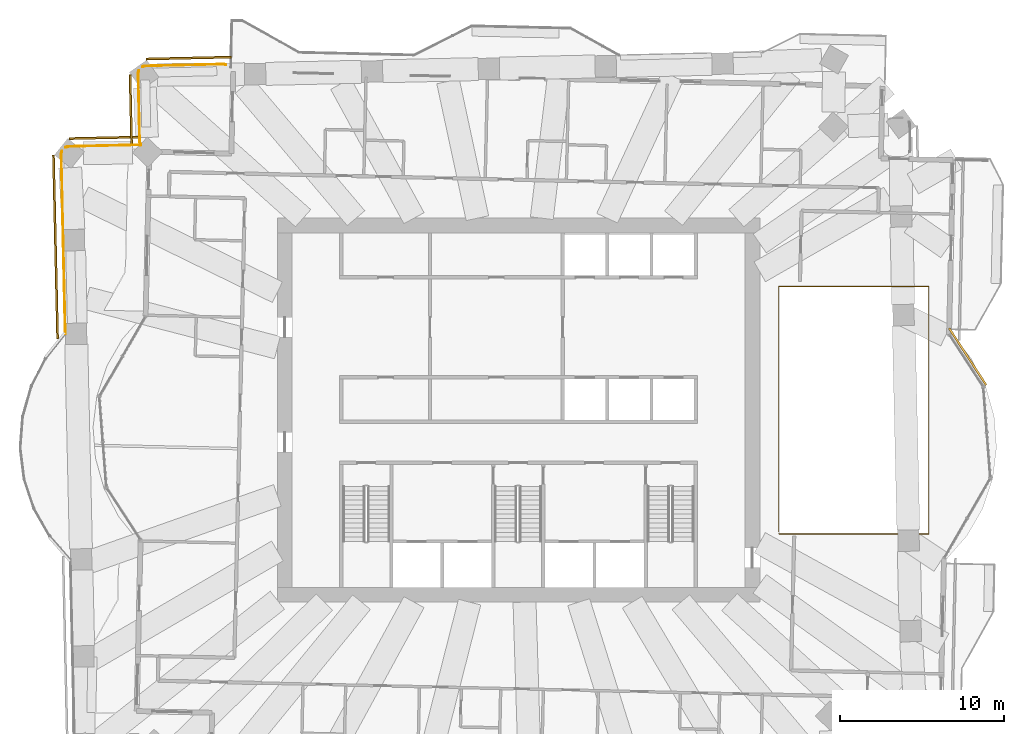
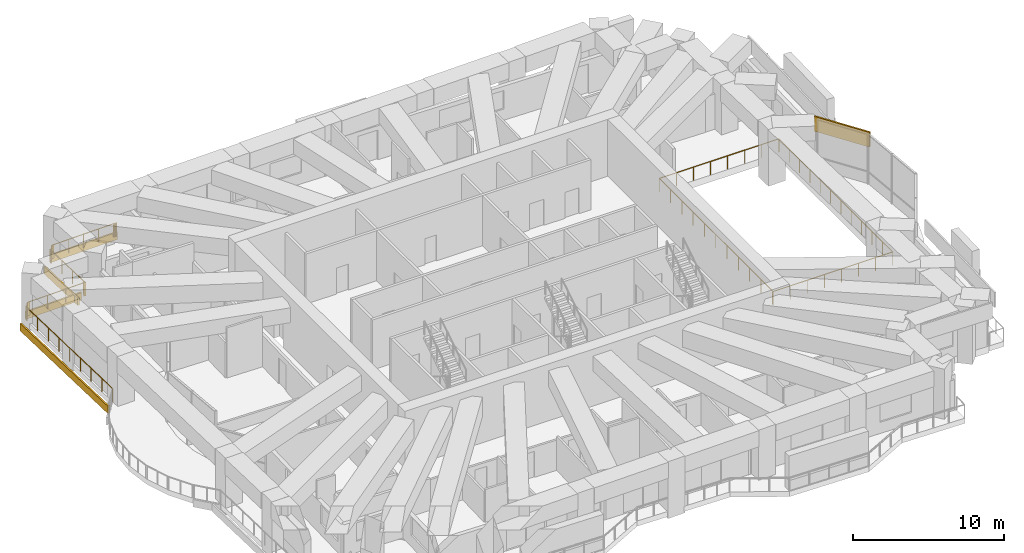
# One storey, part 16 of 17: 5 coverings, 5 railings.
"""IFC4 building model written with IfcOpenShell, lengths in metres."""

from ifc_helpers import new_model, si_unit, direction, frame, frame_2d, origin, origin_2d, place, context, subcontext, project, spatial, rectangle, extrude, material, layer, layer_set, type_object, element, save


model = new_model("IFC4")

# Units and contexts
model_context = context("Model", 3, precision=1e-05, world=origin(), true_north=direction((0.0, 1.0)))
body_context = subcontext(model_context, "Body", "Model", "MODEL_VIEW")
ifc_project = project(units=[si_unit("LENGTHUNIT", "METRE"), si_unit("AREAUNIT", "SQUARE_METRE"), si_unit("VOLUMEUNIT", "CUBIC_METRE"), si_unit("PLANEANGLEUNIT", "RADIAN"), si_unit("MASSUNIT", "GRAM", prefix="KILO")], contexts=[model_context])

# Site, building, storey
site_placement = place(None, origin())
site = spatial("IfcSite", under=ifc_project, at=site_placement, CompositionType="ELEMENT")
building_placement = place(site_placement, origin())
building = spatial("IfcBuilding", under=site, at=building_placement, Name="Mangrove Gate Tower", CompositionType="ELEMENT")
storey_placement = place(building_placement, frame((0.0, 0.0, 148.10009765625)))
storey = spatial("IfcBuildingStorey", under=building, at=storey_placement, Name="L37", CompositionType="ELEMENT", Elevation=148.10009765625)

# Railings
ifc_material_1 = material(Name="Stainless steel grade 316 with laminated glass infill", Category="steel")
railing_type = type_object("IfcRailingType", Name="Balcony guard 1100", PredefinedType="GUARDRAIL", material=ifc_material_1)
railing_1_placement = place(storey_placement, frame((15.860107421875, -7.5400390625, 0.0)))
element("IfcRailing", 1, at=railing_1_placement, inside=storey, type_object=railing_type, Name="GUARD L37 atrium", PredefinedType="GUARDRAIL", context=body_context, shape_type="SweptSolid", body=[
    extrude(rectangle(XDim=0.048095703125, YDim=0.048095703125, at=origin_2d()), frame((0.0, 0.0, 1.076171875), z_axis=(1.0, 0.0, 0.0), x_axis=(0.0, 1.0, 0.0)), (0.0, 0.0, 1.0), 9.143798828125),
    extrude(rectangle(XDim=0.048095703125, YDim=0.048095703125, at=origin_2d()), frame((9.143798828125, 0.0, 1.076171875), z_axis=(0.0, 1.0, 0.0), x_axis=(-1.0, 0.0, 0.0)), (0.0, 0.0, 1.0), 15.080078125),
    extrude(rectangle(XDim=0.048095703125, YDim=0.048095703125, at=origin_2d()), frame((9.143798828125, 15.080078125, 1.076171875), z_axis=(-1.0, 0.0, 0.0), x_axis=(0.0, -1.0, 0.0)), (0.0, 0.0, 1.0), 9.143798828125),
    extrude(rectangle(XDim=0.048095703125, YDim=0.048095703125, at=origin_2d()), frame((0.0, 15.080078125, 1.076171875), z_axis=(0.0, -1.0, 0.0), x_axis=(1.0, 0.0, 0.0)), (0.0, 0.0, 1.0), 14.9599609375),
    extrude(rectangle(XDim=0.0419921875, YDim=0.0419921875, at=origin_2d()), origin(), (0.0, 0.0, 1.0), 1.052001953125),
    extrude(rectangle(XDim=0.0419921875, YDim=0.0419921875, at=origin_2d()), frame((1.30615234375, 0.0, 0.0)), (0.0, 0.0, 1.0), 1.052001953125),
    extrude(rectangle(XDim=0.0419921875, YDim=0.0419921875, at=origin_2d()), frame((2.612548828125, 0.0, 0.0)), (0.0, 0.0, 1.0), 1.052001953125),
    extrude(rectangle(XDim=0.0419921875, YDim=0.0419921875, at=origin_2d()), frame((3.918701171875, 0.0, 0.0)), (0.0, 0.0, 1.0), 1.052001953125),
    extrude(rectangle(XDim=0.0419921875, YDim=0.0419921875, at=origin_2d()), frame((5.22509765625, 0.0, 0.0)), (0.0, 0.0, 1.0), 1.052001953125),
    extrude(rectangle(XDim=0.0419921875, YDim=0.0419921875, at=origin_2d()), frame((6.53125, 0.0, 0.0)), (0.0, 0.0, 1.0), 1.052001953125),
    extrude(rectangle(XDim=0.0419921875, YDim=0.0419921875, at=origin_2d()), frame((7.837646484375, 0.0, 0.0)), (0.0, 0.0, 1.0), 1.052001953125),
    extrude(rectangle(XDim=0.0419921875, YDim=0.0419921875, at=origin_2d()), frame((9.143798828125, 0.0, 0.0)), (0.0, 0.0, 1.0), 1.052001953125),
    extrude(rectangle(XDim=0.0419921875, YDim=0.0419921875, at=origin_2d()), frame((9.143798828125, 1.370849609375, 0.0)), (0.0, 0.0, 1.0), 1.052001953125),
    extrude(rectangle(XDim=0.0419921875, YDim=0.0419921875, at=origin_2d()), frame((9.143798828125, 2.741943359375, 0.0)), (0.0, 0.0, 1.0), 1.052001953125),
    extrude(rectangle(XDim=0.0419921875, YDim=0.0419921875, at=origin_2d()), frame((9.143798828125, 4.11279296875, 0.0)), (0.0, 0.0, 1.0), 1.052001953125),
    extrude(rectangle(XDim=0.0419921875, YDim=0.0419921875, at=origin_2d()), frame((9.143798828125, 5.483642578125, 0.0)), (0.0, 0.0, 1.0), 1.052001953125),
    extrude(rectangle(XDim=0.0419921875, YDim=0.0419921875, at=origin_2d()), frame((9.143798828125, 6.8544921875, 0.0)), (0.0, 0.0, 1.0), 1.052001953125),
    extrude(rectangle(XDim=0.0419921875, YDim=0.0419921875, at=origin_2d()), frame((9.143798828125, 8.2255859375, 0.0)), (0.0, 0.0, 1.0), 1.052001953125),
    extrude(rectangle(XDim=0.0419921875, YDim=0.0419921875, at=origin_2d()), frame((9.143798828125, 9.596435546875, 0.0)), (0.0, 0.0, 1.0), 1.052001953125),
    extrude(rectangle(XDim=0.0419921875, YDim=0.0419921875, at=origin_2d()), frame((9.143798828125, 10.96728515625, 0.0)), (0.0, 0.0, 1.0), 1.052001953125),
    extrude(rectangle(XDim=0.0419921875, YDim=0.0419921875, at=origin_2d()), frame((9.143798828125, 12.338134765625, 0.0)), (0.0, 0.0, 1.0), 1.052001953125),
    extrude(rectangle(XDim=0.0419921875, YDim=0.0419921875, at=origin_2d()), frame((9.143798828125, 13.709228515625, 0.0)), (0.0, 0.0, 1.0), 1.052001953125),
    extrude(rectangle(XDim=0.0419921875, YDim=0.0419921875, at=origin_2d()), frame((9.143798828125, 15.080078125, 0.0)), (0.0, 0.0, 1.0), 1.052001953125),
    extrude(rectangle(XDim=0.0419921875, YDim=0.0419921875, at=origin_2d()), frame((7.837646484375, 15.080078125, 0.0)), (0.0, 0.0, 1.0), 1.052001953125),
    extrude(rectangle(XDim=0.0419921875, YDim=0.0419921875, at=origin_2d()), frame((6.53125, 15.080078125, 0.0)), (0.0, 0.0, 1.0), 1.052001953125),
    extrude(rectangle(XDim=0.0419921875, YDim=0.0419921875, at=origin_2d()), frame((5.22509765625, 15.080078125, 0.0)), (0.0, 0.0, 1.0), 1.052001953125),
    extrude(rectangle(XDim=0.0419921875, YDim=0.0419921875, at=origin_2d()), frame((3.918701171875, 15.080078125, 0.0)), (0.0, 0.0, 1.0), 1.052001953125),
    extrude(rectangle(XDim=0.0419921875, YDim=0.0419921875, at=origin_2d()), frame((2.612548828125, 15.080078125, 0.0)), (0.0, 0.0, 1.0), 1.052001953125),
    extrude(rectangle(XDim=0.0419921875, YDim=0.0419921875, at=origin_2d()), frame((1.30615234375, 15.080078125, 0.0)), (0.0, 0.0, 1.0), 1.052001953125),
    extrude(rectangle(XDim=0.0419921875, YDim=0.0419921875, at=origin_2d()), frame((0.0, 15.080078125, 0.0)), (0.0, 0.0, 1.0), 1.052001953125),
    extrude(rectangle(XDim=0.0419921875, YDim=0.0419921875, at=origin_2d()), frame((0.0, 13.583984375, 0.0)), (0.0, 0.0, 1.0), 1.052001953125),
    extrude(rectangle(XDim=0.0419921875, YDim=0.0419921875, at=origin_2d()), frame((0.0, 12.088134765625, 0.0)), (0.0, 0.0, 1.0), 1.052001953125),
    extrude(rectangle(XDim=0.0419921875, YDim=0.0419921875, at=origin_2d()), frame((0.0, 10.592041015625, 0.0)), (0.0, 0.0, 1.0), 1.052001953125),
    extrude(rectangle(XDim=0.0419921875, YDim=0.0419921875, at=origin_2d()), frame((0.0, 9.09619140625, 0.0)), (0.0, 0.0, 1.0), 1.052001953125),
    extrude(rectangle(XDim=0.0419921875, YDim=0.0419921875, at=origin_2d()), frame((0.0, 7.60009765625, 0.0)), (0.0, 0.0, 1.0), 1.052001953125),
    extrude(rectangle(XDim=0.0419921875, YDim=0.0419921875, at=origin_2d()), frame((0.0, 6.10400390625, 0.0)), (0.0, 0.0, 1.0), 1.052001953125),
    extrude(rectangle(XDim=0.0419921875, YDim=0.0419921875, at=origin_2d()), frame((0.0, 4.608154296875, 0.0)), (0.0, 0.0, 1.0), 1.052001953125),
    extrude(rectangle(XDim=0.0419921875, YDim=0.0419921875, at=origin_2d()), frame((0.0, 3.112060546875, 0.0)), (0.0, 0.0, 1.0), 1.052001953125),
    extrude(rectangle(XDim=0.0419921875, YDim=0.0419921875, at=origin_2d()), frame((0.0, 1.6162109375, 0.0)), (0.0, 0.0, 1.0), 1.052001953125),
    extrude(rectangle(XDim=0.0419921875, YDim=0.0419921875, at=origin_2d()), frame((0.0, 0.1201171875, 0.0)), (0.0, 0.0, 1.0), 1.052001953125),
])
railing_2_placement = place(storey_placement, frame((-27.6220703125, 4.64892578125, 0.0)))
element("IfcRailing", 2, at=railing_2_placement, inside=storey, type_object=railing_type, Name="GUARD L37 T3.1", PredefinedType="GUARDRAIL", context=body_context, shape_type="SweptSolid", body=[
    extrude(rectangle(XDim=0.048095703125, YDim=0.048095703125, at=origin_2d()), frame((0.0, 0.0, 1.076171875), z_axis=(-0.022619759333, 0.999744140512, 0.0), x_axis=(-0.999744140512, -0.022619759333, 0.0)), (0.0, 0.0, 1.0), 10.911865234375),
    extrude(rectangle(XDim=0.048095703125, YDim=0.048095703125, at=origin_2d()), frame((-0.246826171875, 10.9091796875, 1.076171875), z_axis=(0.019604074934, 0.999807821657, 0.0), x_axis=(-0.999807821657, 0.019604074934, 0.0)), (0.0, 0.0, 1.0), 0.0498046875),
    extrude(rectangle(XDim=0.048095703125, YDim=0.048095703125, at=origin_2d()), frame((-0.245849609375, 10.958984375, 1.076171875), z_axis=(0.120933275731, 0.992660638295, 0.0), x_axis=(-0.992660638295, 0.120933275731, 0.0)), (0.0, 0.0, 1.0), 0.04833984375),
    extrude(rectangle(XDim=0.048095703125, YDim=0.048095703125, at=origin_2d()), frame((-0.239990234375, 11.007080078125, 1.076171875), z_axis=(0.222690428814, 0.974889210585, 0.0), x_axis=(-0.974889210585, 0.222690428814, 0.0)), (0.0, 0.0, 1.0), 0.04931640625),
    extrude(rectangle(XDim=0.048095703125, YDim=0.048095703125, at=origin_2d()), frame((-0.22900390625, 11.05517578125, 1.076171875), z_axis=(0.325079768511, 0.945686599305, 0.0), x_axis=(-0.945686599305, 0.325079768511, 0.0)), (0.0, 0.0, 1.0), 0.049560546875),
    extrude(rectangle(XDim=0.048095703125, YDim=0.048095703125, at=origin_2d()), frame((-0.212890625, 11.10205078125, 1.076171875), z_axis=(0.403640206576, 0.914917801573, 0.0), x_axis=(-0.914917801573, 0.403640206576, 0.0)), (0.0, 0.0, 1.0), 0.027099609375),
    extrude(rectangle(XDim=0.0419921875, YDim=0.0419921875, at=origin_2d()), origin(), (0.0, 0.0, 1.0), 1.052001953125),
    extrude(rectangle(XDim=0.0419921875, YDim=0.0419921875, at=origin_2d()), frame((-0.03076171875, 1.36376953125, 0.0)), (0.0, 0.0, 1.0), 1.052001953125),
    extrude(rectangle(XDim=0.0419921875, YDim=0.0419921875, at=origin_2d()), frame((-0.061767578125, 2.727294921875, 0.0)), (0.0, 0.0, 1.0), 1.052001953125),
    extrude(rectangle(XDim=0.0419921875, YDim=0.0419921875, at=origin_2d()), frame((-0.092529296875, 4.0908203125, 0.0)), (0.0, 0.0, 1.0), 1.052001953125),
    extrude(rectangle(XDim=0.0419921875, YDim=0.0419921875, at=origin_2d()), frame((-0.12353515625, 5.45458984375, 0.0)), (0.0, 0.0, 1.0), 1.052001953125),
    extrude(rectangle(XDim=0.0419921875, YDim=0.0419921875, at=origin_2d()), frame((-0.154296875, 6.818359375, 0.0)), (0.0, 0.0, 1.0), 1.052001953125),
    extrude(rectangle(XDim=0.0419921875, YDim=0.0419921875, at=origin_2d()), frame((-0.18505859375, 8.181884765625, 0.0)), (0.0, 0.0, 1.0), 1.052001953125),
    extrude(rectangle(XDim=0.0419921875, YDim=0.0419921875, at=origin_2d()), frame((-0.216064453125, 9.54541015625, 0.0)), (0.0, 0.0, 1.0), 1.052001953125),
    extrude(rectangle(XDim=0.0419921875, YDim=0.0419921875, at=origin_2d()), frame((-0.246826171875, 10.9091796875, 0.0)), (0.0, 0.0, 1.0), 1.052001953125),
    extrude(rectangle(XDim=0.0419921875, YDim=0.0419921875, at=origin_2d()), frame((-0.245849609375, 10.958984375, 0.0)), (0.0, 0.0, 1.0), 1.052001953125),
    extrude(rectangle(XDim=0.0419921875, YDim=0.0419921875, at=origin_2d()), frame((-0.239990234375, 11.007080078125, 0.0)), (0.0, 0.0, 1.0), 1.052001953125),
    extrude(rectangle(XDim=0.0419921875, YDim=0.0419921875, at=origin_2d()), frame((-0.22900390625, 11.05517578125, 0.0)), (0.0, 0.0, 1.0), 1.052001953125),
    extrude(rectangle(XDim=0.0419921875, YDim=0.0419921875, at=origin_2d()), frame((-0.212890625, 11.10205078125, 0.0)), (0.0, 0.0, 1.0), 1.052001953125),
    extrude(rectangle(XDim=0.0419921875, YDim=0.0419921875, at=origin_2d()), frame((-0.201904296875, 11.126953125, 0.0)), (0.0, 0.0, 1.0), 1.052001953125),
])
railing_3_placement = place(storey_placement, frame((-27.595947265625, 16.014892578125, 0.0)))
element("IfcRailing", 3, at=railing_3_placement, inside=storey, type_object=railing_type, Name="GUARD L37 T3.2", PredefinedType="GUARDRAIL", context=body_context, shape_type="SweptSolid", body=[
    extrude(rectangle(XDim=0.048095703125, YDim=0.048095703125, at=origin_2d()), frame((0.0, 0.0, 1.076171875), z_axis=(0.897920722727, 0.440157217023, 0.0), x_axis=(-0.440157217023, 0.897920722727, 0.0)), (0.0, 0.0, 1.0), 0.02783203125),
    extrude(rectangle(XDim=0.048095703125, YDim=0.048095703125, at=origin_2d()), frame((0.02490234375, 0.01220703125, 1.076171875), z_axis=(0.932835839802, 0.360301673574, 0.0), x_axis=(-0.360301673574, 0.932835839802, 0.0)), (0.0, 0.0, 1.0), 0.049560546875),
    extrude(rectangle(XDim=0.048095703125, YDim=0.048095703125, at=origin_2d()), frame((0.071044921875, 0.030029296875, 1.076171875), z_axis=(0.962650940154, 0.270745576918, 0.0), x_axis=(-0.270745576918, 0.962650940154, 0.0)), (0.0, 0.0, 1.0), 0.048583984375),
    extrude(rectangle(XDim=0.048095703125, YDim=0.048095703125, at=origin_2d()), frame((0.117919921875, 0.043212890625, 1.076171875), z_axis=(0.98706264842, 0.160335049489, 0.0), x_axis=(-0.160335049489, 0.98706264842, 0.0)), (0.0, 0.0, 1.0), 0.048828125),
    extrude(rectangle(XDim=0.048095703125, YDim=0.048095703125, at=origin_2d()), frame((0.166015625, 0.051025390625, 1.076171875), z_axis=(0.996406958115, 0.08469459144, 0.0), x_axis=(-0.08469459144, 0.996406958115, 0.0)), (0.0, 0.0, 1.0), 0.049072265625),
    extrude(rectangle(XDim=0.048095703125, YDim=0.048095703125, at=origin_2d()), frame((0.21484375, 0.05517578125, 1.076171875), z_axis=(0.999746388122, 0.022520200647, 0.0), x_axis=(-0.022520200647, 0.999746388122, 0.0)), (0.0, 0.0, 1.0), 4.217041015625),
    extrude(rectangle(XDim=0.048095703125, YDim=0.048095703125, at=origin_2d()), frame((4.430908203125, 0.150146484375, 1.076171875), z_axis=(0.999816904308, -0.019135251757, 0.0), x_axis=(0.019135251757, 0.999816904308, 0.0)), (0.0, 0.0, 1.0), 0.051025390625),
    extrude(rectangle(XDim=0.048095703125, YDim=0.048095703125, at=origin_2d()), frame((4.48193359375, 0.149169921875, 1.076171875), z_axis=(0.990141768293, -0.140068835515, 0.0), x_axis=(0.140068835515, 0.990141768293, 0.0)), (0.0, 0.0, 1.0), 0.050537109375),
    extrude(rectangle(XDim=0.048095703125, YDim=0.048095703125, at=origin_2d()), frame((4.531982421875, 0.14208984375, 1.076171875), z_axis=(0.97863695281, -0.205595998489, 0.0), x_axis=(0.205595998489, 0.97863695281, 0.0)), (0.0, 0.0, 1.0), 0.02978515625),
    extrude(rectangle(XDim=0.0419921875, YDim=0.0419921875, at=origin_2d()), origin(), (0.0, 0.0, 1.0), 1.052001953125),
    extrude(rectangle(XDim=0.0419921875, YDim=0.0419921875, at=origin_2d()), frame((0.02490234375, 0.01220703125, 0.0)), (0.0, 0.0, 1.0), 1.052001953125),
    extrude(rectangle(XDim=0.0419921875, YDim=0.0419921875, at=origin_2d()), frame((0.071044921875, 0.030029296875, 0.0)), (0.0, 0.0, 1.0), 1.052001953125),
    extrude(rectangle(XDim=0.0419921875, YDim=0.0419921875, at=origin_2d()), frame((0.117919921875, 0.043212890625, 0.0)), (0.0, 0.0, 1.0), 1.052001953125),
    extrude(rectangle(XDim=0.0419921875, YDim=0.0419921875, at=origin_2d()), frame((0.166015625, 0.051025390625, 0.0)), (0.0, 0.0, 1.0), 1.052001953125),
    extrude(rectangle(XDim=0.0419921875, YDim=0.0419921875, at=origin_2d()), frame((0.21484375, 0.05517578125, 0.0)), (0.0, 0.0, 1.0), 1.052001953125),
    extrude(rectangle(XDim=0.0419921875, YDim=0.0419921875, at=origin_2d()), frame((1.6201171875, 0.0869140625, 0.0)), (0.0, 0.0, 1.0), 1.052001953125),
    extrude(rectangle(XDim=0.0419921875, YDim=0.0419921875, at=origin_2d()), frame((3.025634765625, 0.118408203125, 0.0)), (0.0, 0.0, 1.0), 1.052001953125),
    extrude(rectangle(XDim=0.0419921875, YDim=0.0419921875, at=origin_2d()), frame((4.430908203125, 0.150146484375, 0.0)), (0.0, 0.0, 1.0), 1.052001953125),
    extrude(rectangle(XDim=0.0419921875, YDim=0.0419921875, at=origin_2d()), frame((4.48193359375, 0.149169921875, 0.0)), (0.0, 0.0, 1.0), 1.052001953125),
    extrude(rectangle(XDim=0.0419921875, YDim=0.0419921875, at=origin_2d()), frame((4.531982421875, 0.14208984375, 0.0)), (0.0, 0.0, 1.0), 1.052001953125),
    extrude(rectangle(XDim=0.0419921875, YDim=0.0419921875, at=origin_2d()), frame((4.56103515625, 0.135986328125, 0.0)), (0.0, 0.0, 1.0), 1.052001953125),
])
railing_4_placement = place(storey_placement, frame((-23.031982421875, 16.176025390625, 0.0)))
element("IfcRailing", 4, at=railing_4_placement, inside=storey, type_object=railing_type, Name="GUARD L37 T3.3", PredefinedType="GUARDRAIL", context=body_context, shape_type="SweptSolid", body=[
    extrude(rectangle(XDim=0.048095703125, YDim=0.048095703125, at=origin_2d()), frame((0.0, 0.0, 1.076171875), z_axis=(-0.438702428484, 0.898632393831, 0.0), x_axis=(-0.898632393831, -0.438702428484, 0.0)), (0.0, 0.0, 1.0), 0.034423828125),
    extrude(rectangle(XDim=0.048095703125, YDim=0.048095703125, at=origin_2d()), frame((-0.01513671875, 0.031005859375, 1.076171875), z_axis=(-0.339644463778, 0.940553899692, 0.0), x_axis=(-0.940553899692, -0.339644463778, 0.0)), (0.0, 0.0, 1.0), 0.046630859375),
    extrude(rectangle(XDim=0.048095703125, YDim=0.048095703125, at=origin_2d()), frame((-0.031005859375, 0.074951171875, 1.076171875), z_axis=(-0.264808083684, 0.964301134924, 0.0), x_axis=(-0.964301134924, -0.264808083684, 0.0)), (0.0, 0.0, 1.0), 0.048828125),
    extrude(rectangle(XDim=0.048095703125, YDim=0.048095703125, at=origin_2d()), frame((-0.0439453125, 0.1220703125, 1.076171875), z_axis=(-0.169391215599, 0.98554889076, 0.0), x_axis=(-0.98554889076, -0.169391215599, 0.0)), (0.0, 0.0, 1.0), 0.047607421875),
    extrude(rectangle(XDim=0.048095703125, YDim=0.048095703125, at=origin_2d()), frame((-0.052001953125, 0.1689453125, 1.076171875), z_axis=(-0.062056330482, 0.998072648582, 0.0), x_axis=(-0.998072648582, -0.062056330482, 0.0)), (0.0, 0.0, 1.0), 0.047119140625),
    extrude(rectangle(XDim=0.048095703125, YDim=0.048095703125, at=origin_2d()), frame((-0.054931640625, 0.216064453125, 1.076171875), z_axis=(-0.022586673637, 0.999744888546, 0.0), x_axis=(-0.999744888546, -0.022586673637, 0.0)), (0.0, 0.0, 1.0), 4.074951171875),
    extrude(rectangle(XDim=0.048095703125, YDim=0.048095703125, at=origin_2d()), frame((-0.14697265625, 4.2900390625, 1.076171875), z_axis=(0.0199960012, 0.99980005998, 0.0), x_axis=(-0.99980005998, 0.0199960012, 0.0)), (0.0, 0.0, 1.0), 0.048828125),
    extrude(rectangle(XDim=0.048095703125, YDim=0.048095703125, at=origin_2d()), frame((-0.14599609375, 4.3388671875, 1.076171875), z_axis=(0.118560811125, 0.992946793169, 0.0), x_axis=(-0.992946793169, 0.118560811125, 0.0)), (0.0, 0.0, 1.0), 0.04931640625),
    extrude(rectangle(XDim=0.048095703125, YDim=0.048095703125, at=origin_2d()), frame((-0.14013671875, 4.387939453125, 1.076171875), z_axis=(0.227385877315, 0.973804735457, 0.0), x_axis=(-0.973804735457, 0.227385877315, 0.0)), (0.0, 0.0, 1.0), 0.04931640625),
    extrude(rectangle(XDim=0.048095703125, YDim=0.048095703125, at=origin_2d()), frame((-0.12890625, 4.43603515625, 1.076171875), z_axis=(0.308628423681, 0.95118268282, 0.0), x_axis=(-0.95118268282, 0.308628423681, 0.0)), (0.0, 0.0, 1.0), 0.04833984375),
    extrude(rectangle(XDim=0.048095703125, YDim=0.048095703125, at=origin_2d()), frame((-0.114013671875, 4.48193359375, 1.076171875), z_axis=(0.416362102889, 0.909198877737, 0.0), x_axis=(-0.909198877737, 0.416362102889, 0.0)), (0.0, 0.0, 1.0), 0.02880859375),
    extrude(rectangle(XDim=0.0419921875, YDim=0.0419921875, at=origin_2d()), origin(), (0.0, 0.0, 1.0), 1.052001953125),
    extrude(rectangle(XDim=0.0419921875, YDim=0.0419921875, at=origin_2d()), frame((-0.01513671875, 0.031005859375, 0.0)), (0.0, 0.0, 1.0), 1.052001953125),
    extrude(rectangle(XDim=0.0419921875, YDim=0.0419921875, at=origin_2d()), frame((-0.031005859375, 0.074951171875, 0.0)), (0.0, 0.0, 1.0), 1.052001953125),
    extrude(rectangle(XDim=0.0419921875, YDim=0.0419921875, at=origin_2d()), frame((-0.0439453125, 0.1220703125, 0.0)), (0.0, 0.0, 1.0), 1.052001953125),
    extrude(rectangle(XDim=0.0419921875, YDim=0.0419921875, at=origin_2d()), frame((-0.052001953125, 0.1689453125, 0.0)), (0.0, 0.0, 1.0), 1.052001953125),
    extrude(rectangle(XDim=0.0419921875, YDim=0.0419921875, at=origin_2d()), frame((-0.054931640625, 0.216064453125, 0.0)), (0.0, 0.0, 1.0), 1.052001953125),
    extrude(rectangle(XDim=0.0419921875, YDim=0.0419921875, at=origin_2d()), frame((-0.085693359375, 1.573974609375, 0.0)), (0.0, 0.0, 1.0), 1.052001953125),
    extrude(rectangle(XDim=0.0419921875, YDim=0.0419921875, at=origin_2d()), frame((-0.1162109375, 2.93212890625, 0.0)), (0.0, 0.0, 1.0), 1.052001953125),
    extrude(rectangle(XDim=0.0419921875, YDim=0.0419921875, at=origin_2d()), frame((-0.14697265625, 4.2900390625, 0.0)), (0.0, 0.0, 1.0), 1.052001953125),
    extrude(rectangle(XDim=0.0419921875, YDim=0.0419921875, at=origin_2d()), frame((-0.14599609375, 4.3388671875, 0.0)), (0.0, 0.0, 1.0), 1.052001953125),
    extrude(rectangle(XDim=0.0419921875, YDim=0.0419921875, at=origin_2d()), frame((-0.14013671875, 4.387939453125, 0.0)), (0.0, 0.0, 1.0), 1.052001953125),
    extrude(rectangle(XDim=0.0419921875, YDim=0.0419921875, at=origin_2d()), frame((-0.12890625, 4.43603515625, 0.0)), (0.0, 0.0, 1.0), 1.052001953125),
    extrude(rectangle(XDim=0.0419921875, YDim=0.0419921875, at=origin_2d()), frame((-0.114013671875, 4.48193359375, 0.0)), (0.0, 0.0, 1.0), 1.052001953125),
    extrude(rectangle(XDim=0.0419921875, YDim=0.0419921875, at=origin_2d()), frame((-0.10205078125, 4.508056640625, 0.0)), (0.0, 0.0, 1.0), 1.052001953125),
])
railing_5_placement = place(storey_placement, frame((-22.906005859375, 20.922119140625, 0.0)))
element("IfcRailing", 5, at=railing_5_placement, inside=storey, type_object=railing_type, Name="GUARD L37 T3.4", PredefinedType="GUARDRAIL", context=body_context, shape_type="SweptSolid", body=[
    extrude(rectangle(XDim=0.048095703125, YDim=0.048095703125, at=origin_2d()), frame((0.0, 0.0, 1.076171875), z_axis=(0.887359195726, 0.461078797779, 0.0), x_axis=(-0.461078797779, 0.887359195726, 0.0)), (0.0, 0.0, 1.0), 0.028076171875),
    extrude(rectangle(XDim=0.048095703125, YDim=0.048095703125, at=origin_2d()), frame((0.02490234375, 0.012939453125, 1.076171875), z_axis=(0.932835839802, 0.360301673574, 0.0), x_axis=(-0.360301673574, 0.932835839802, 0.0)), (0.0, 0.0, 1.0), 0.049560546875),
    extrude(rectangle(XDim=0.048095703125, YDim=0.048095703125, at=origin_2d()), frame((0.071044921875, 0.03076171875, 1.076171875), z_axis=(0.962650940154, 0.270745576918, 0.0), x_axis=(-0.270745576918, 0.962650940154, 0.0)), (0.0, 0.0, 1.0), 0.048583984375),
    extrude(rectangle(XDim=0.048095703125, YDim=0.048095703125, at=origin_2d()), frame((0.117919921875, 0.0439453125, 1.076171875), z_axis=(0.986258281976, 0.165210778199, 0.0), x_axis=(-0.165210778199, 0.986258281976, 0.0)), (0.0, 0.0, 1.0), 0.048828125),
    extrude(rectangle(XDim=0.048095703125, YDim=0.048095703125, at=origin_2d()), frame((0.166015625, 0.052001953125, 1.076171875), z_axis=(0.998222615791, 0.059595380047, 0.0), x_axis=(-0.059595380047, 0.998222615791, 0.0)), (0.0, 0.0, 1.0), 0.049072265625),
    extrude(rectangle(XDim=0.048095703125, YDim=0.048095703125, at=origin_2d()), frame((0.215087890625, 0.054931640625, 1.076171875), z_axis=(0.999739248595, 0.022834947313, 0.0), x_axis=(-0.022834947313, 0.999739248595, 0.0)), (0.0, 0.0, 1.0), 4.64013671875),
    extrude(rectangle(XDim=0.048095703125, YDim=0.048095703125, at=origin_2d()), frame((4.85400390625, 0.160888671875, 1.076171875), z_axis=(0.999239417093, -0.03899470896, 0.0), x_axis=(0.03899470896, 0.999239417093, 0.0)), (0.0, 0.0, 1.0), 0.050048828125),
    extrude(rectangle(XDim=0.048095703125, YDim=0.048095703125, at=origin_2d()), frame((4.904052734375, 0.158935546875, 1.076171875), z_axis=(0.992921728252, -0.118770541657, 0.0), x_axis=(0.118770541657, 0.992921728252, 0.0)), (0.0, 0.0, 1.0), 0.05126953125),
    extrude(rectangle(XDim=0.048095703125, YDim=0.048095703125, at=origin_2d()), frame((4.955078125, 0.15283203125, 1.076171875), z_axis=(0.971274408717, -0.237962230136, 0.0), x_axis=(0.237962230136, 0.971274408717, 0.0)), (0.0, 0.0, 1.0), 0.05029296875),
    extrude(rectangle(XDim=0.048095703125, YDim=0.048095703125, at=origin_2d()), frame((5.00390625, 0.140869140625, 1.076171875), z_axis=(0.947696654134, -0.319172448283, 0.0), x_axis=(0.319172448283, 0.947696654134, 0.0)), (0.0, 0.0, 1.0), 0.0498046875),
    extrude(rectangle(XDim=0.048095703125, YDim=0.048095703125, at=origin_2d()), frame((5.051025390625, 0.125, 1.076171875), z_axis=(0.918591645064, -0.395208033342, 0.0), x_axis=(0.395208033342, 0.918591645064, 0.0)), (0.0, 0.0, 1.0), 0.02294921875),
    extrude(rectangle(XDim=0.0419921875, YDim=0.0419921875, at=origin_2d()), origin(), (0.0, 0.0, 1.0), 1.052001953125),
    extrude(rectangle(XDim=0.0419921875, YDim=0.0419921875, at=origin_2d()), frame((0.02490234375, 0.012939453125, 0.0)), (0.0, 0.0, 1.0), 1.052001953125),
    extrude(rectangle(XDim=0.0419921875, YDim=0.0419921875, at=origin_2d()), frame((0.071044921875, 0.03076171875, 0.0)), (0.0, 0.0, 1.0), 1.052001953125),
    extrude(rectangle(XDim=0.0419921875, YDim=0.0419921875, at=origin_2d()), frame((0.117919921875, 0.0439453125, 0.0)), (0.0, 0.0, 1.0), 1.052001953125),
    extrude(rectangle(XDim=0.0419921875, YDim=0.0419921875, at=origin_2d()), frame((0.166015625, 0.052001953125, 0.0)), (0.0, 0.0, 1.0), 1.052001953125),
    extrude(rectangle(XDim=0.0419921875, YDim=0.0419921875, at=origin_2d()), frame((0.215087890625, 0.054931640625, 0.0)), (0.0, 0.0, 1.0), 1.052001953125),
    extrude(rectangle(XDim=0.0419921875, YDim=0.0419921875, at=origin_2d()), frame((1.374755859375, 0.08154296875, 0.0)), (0.0, 0.0, 1.0), 1.052001953125),
    extrude(rectangle(XDim=0.0419921875, YDim=0.0419921875, at=origin_2d()), frame((2.53466796875, 0.10791015625, 0.0)), (0.0, 0.0, 1.0), 1.052001953125),
    extrude(rectangle(XDim=0.0419921875, YDim=0.0419921875, at=origin_2d()), frame((3.6943359375, 0.13427734375, 0.0)), (0.0, 0.0, 1.0), 1.052001953125),
    extrude(rectangle(XDim=0.0419921875, YDim=0.0419921875, at=origin_2d()), frame((4.85400390625, 0.160888671875, 0.0)), (0.0, 0.0, 1.0), 1.052001953125),
    extrude(rectangle(XDim=0.0419921875, YDim=0.0419921875, at=origin_2d()), frame((4.904052734375, 0.158935546875, 0.0)), (0.0, 0.0, 1.0), 1.052001953125),
    extrude(rectangle(XDim=0.0419921875, YDim=0.0419921875, at=origin_2d()), frame((4.955078125, 0.15283203125, 0.0)), (0.0, 0.0, 1.0), 1.052001953125),
    extrude(rectangle(XDim=0.0419921875, YDim=0.0419921875, at=origin_2d()), frame((5.00390625, 0.140869140625, 0.0)), (0.0, 0.0, 1.0), 1.052001953125),
    extrude(rectangle(XDim=0.0419921875, YDim=0.0419921875, at=origin_2d()), frame((5.051025390625, 0.125, 0.0)), (0.0, 0.0, 1.0), 1.052001953125),
    extrude(rectangle(XDim=0.0419921875, YDim=0.0419921875, at=origin_2d()), frame((5.072021484375, 0.115966796875, 0.0)), (0.0, 0.0, 1.0), 1.052001953125),
])

# Coverings
ifc_material_2 = material(Name="Limestone", Category="masonry")
ifc_layer_1 = layer(ifc_material_2, 0.0400390625, Name="Limestone cladding")
ifc_material_3 = material(Name="Stainless steel anchors and cavity", Category="steel")
ifc_layer_2 = layer(ifc_material_3, 0.080078125, Name="Fixing cavity")
ifc_layer_set = layer_set([ifc_layer_1, ifc_layer_2], Name="Joint fascia cladding 120")
covering_type = type_object("IfcCoveringType", Name="Joint fascia cladding 120", PredefinedType="CLADDING", material=ifc_layer_set)
covering_1_placement = place(storey_placement, frame((28.4990234375, 1.531982421875, 2.849853515625), z_axis=(0.0, 0.0, 1.0), x_axis=(-0.546258768581, 0.837616474138, 0.0)))
element("IfcCovering", 6, at=covering_1_placement, inside=storey, type_object=covering_type, Name="STONE FASCIA L37 E1.L1", PredefinedType="CLADDING", context=body_context, shape_type="SweptSolid", body=[
    extrude(rectangle(XDim=4.1318359375, YDim=0.1201171875, at=frame_2d((2.06591796875, 0.0))), origin(), (0.0, 0.0, 1.0), 1.199951171875),
])
covering_2_placement = place(storey_placement, frame((-28.09375, 4.357177734375, -0.60009765625), z_axis=(0.0, 0.0, 1.0), x_axis=(-0.022617363976, 0.999744194705, 0.0)))
element("IfcCovering", 7, at=covering_2_placement, inside=storey, type_object=covering_type, Name="STONE FASCIA L37 TB43-1.1", PredefinedType="CLADDING", context=body_context, shape_type="SweptSolid", body=[
    extrude(rectangle(XDim=11.19384765625, YDim=0.1201171875, at=frame_2d((5.596923828125, 0.0))), origin(), (0.0, 0.0, 1.0), 0.60009765625),
])
covering_3_placement = place(storey_placement, frame((-27.39208984375, 16.550048828125, -0.60009765625), z_axis=(0.0, 0.0, 1.0), x_axis=(0.999745980649, 0.022538282471, 0.0)))
element("IfcCovering", 8, at=covering_3_placement, inside=storey, type_object=covering_type, Name="STONE FASCIA L37 TB43-2.1", PredefinedType="CLADDING", context=body_context, shape_type="SweptSolid", body=[
    extrude(rectangle(XDim=4.30029296875, YDim=0.1201171875, at=frame_2d((2.150146484375, 0.0))), origin(), (0.0, 0.0, 1.0), 0.60009765625),
])
covering_4_placement = place(storey_placement, frame((-23.58203125, 16.155517578125, -0.60009765625), z_axis=(0.0, 0.0, 1.0), x_axis=(-0.022537003337, 0.999746009485, 0.0)))
element("IfcCovering", 9, at=covering_4_placement, inside=storey, type_object=covering_type, Name="STONE FASCIA L37 TB43-3.1", PredefinedType="CLADDING", context=body_context, shape_type="SweptSolid", body=[
    extrude(rectangle(XDim=4.300537109375, YDim=0.1201171875, at=frame_2d((2.150390625, 0.0))), origin(), (0.0, 0.0, 1.0), 0.60009765625),
])
covering_5_placement = place(storey_placement, frame((-22.699951171875, 21.39990234375, -0.60009765625), z_axis=(0.0, 0.0, 1.0), x_axis=(0.999742929477, 0.022673221231, 0.0)))
element("IfcCovering", 10, at=covering_5_placement, inside=storey, type_object=covering_type, Name="STONE FASCIA L37 TB43-4.1", PredefinedType="CLADDING", context=body_context, shape_type="SweptSolid", body=[
    extrude(rectangle(XDim=5.17919921875, YDim=0.1201171875, at=frame_2d((2.589599609375, 0.0))), origin(), (0.0, 0.0, 1.0), 0.60009765625),
])

save(model, "model.ifc")
